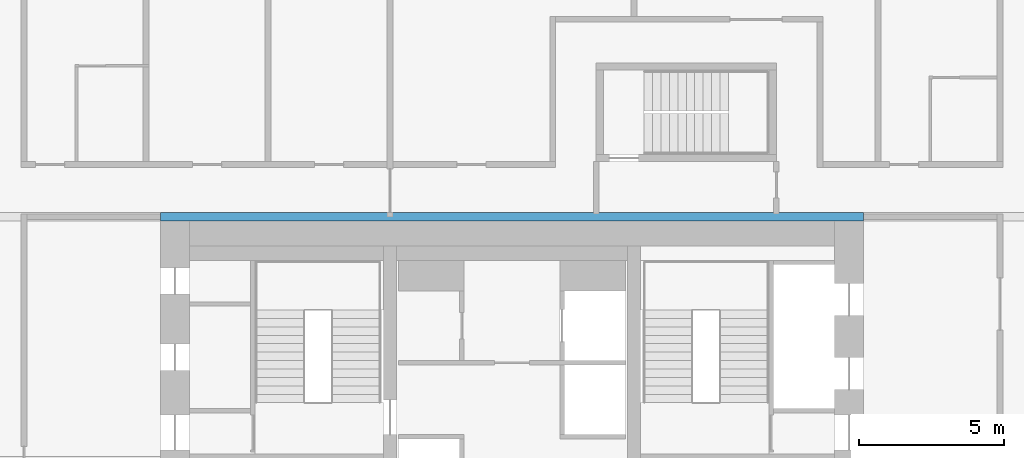
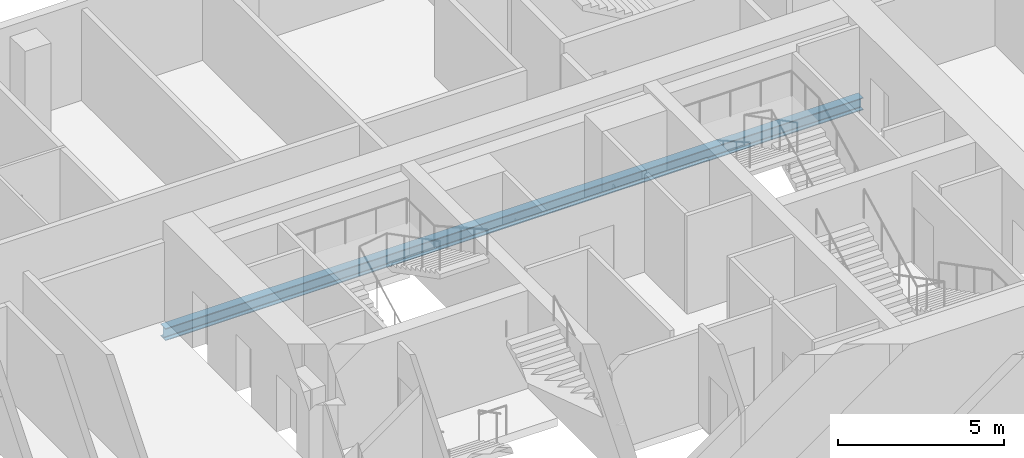
# One storey, part 9 of 23: 1 beam.
"""IFC4 building model written with IfcOpenShell, lengths in metres."""

from ifc_helpers import new_model, si_unit, direction, frame, origin, origin_2d, place, context, subcontext, project, spatial, i_section, extrude, material, material_profile, profile_set, type_object, element, save


model = new_model("IFC4")

# Units and contexts
model_context = context("Model", 3, precision=1e-05, world=origin(), true_north=direction((0.0, 1.0)))
body_context = subcontext(model_context, "Body", "Model", "MODEL_VIEW")
ifc_project = project(units=[si_unit("LENGTHUNIT", "METRE"), si_unit("AREAUNIT", "SQUARE_METRE"), si_unit("VOLUMEUNIT", "CUBIC_METRE"), si_unit("PLANEANGLEUNIT", "RADIAN"), si_unit("MASSUNIT", "GRAM", prefix="KILO")], contexts=[model_context])

# Site, building, storey
site_placement = place(None, origin())
site = spatial("IfcSite", under=ifc_project, at=site_placement, CompositionType="ELEMENT")
building_placement = place(site_placement, origin())
building = spatial("IfcBuilding", under=site, at=building_placement, Name="Marenta Gate Hotel Tower", CompositionType="ELEMENT")
storey_placement = place(building_placement, frame((0.0, 0.0, 162.5)))
storey = spatial("IfcBuildingStorey", under=building, at=storey_placement, Name="L38", CompositionType="ELEMENT", Elevation=162.5)

# Beam
ifc_material = material(Name="Steel S355", Category="steel")
ifc_material_profile = material_profile(ifc_material, i_section(OverallWidth=0.300048828125, OverallDepth=0.449951171875, WebThickness=0.013916015625, FlangeThickness=0.02587890625, FilletRadius=0.027099609375, at=origin_2d()), Name="HEB 450")
ifc_profile_set = profile_set([ifc_material_profile], Name="Steel S355")
beam_type = type_object("IfcBeamType", Name="Girder HEB 450", PredefinedType="BEAM", material=ifc_profile_set)
beam_placement = place(storey_placement, frame((-12.10009765625, 16.800048828125, -0.485107421875), z_axis=(1.0, 0.0, 0.0), x_axis=(0.0, 1.0, 0.0)))
element("IfcBeam", 1, at=beam_placement, inside=storey, type_object=beam_type, Name="L38-GD-26", PredefinedType="BEAM", context=body_context, shape_type="SweptSolid", body=[
    extrude(i_section(OverallWidth=0.300048828125, OverallDepth=0.449951171875, WebThickness=0.013916015625, FlangeThickness=0.02587890625, FilletRadius=0.027099609375, at=origin_2d()), origin(), (0.0, 0.0, 1.0), 24.2001953125),
])

save(model, "model.ifc")
